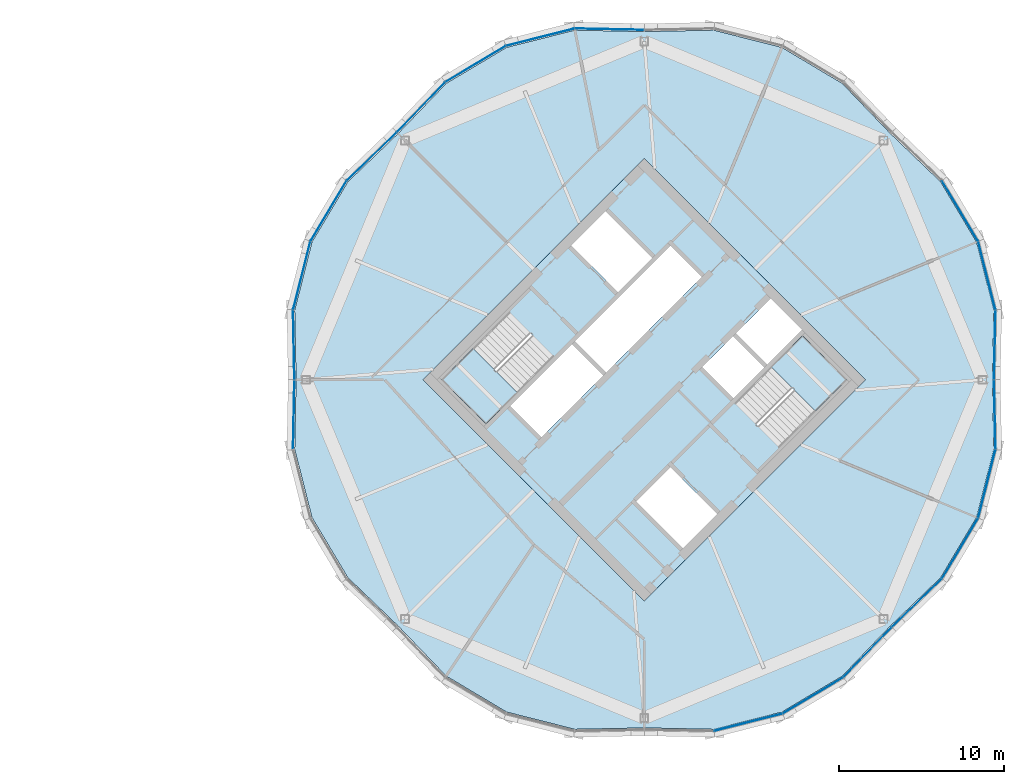
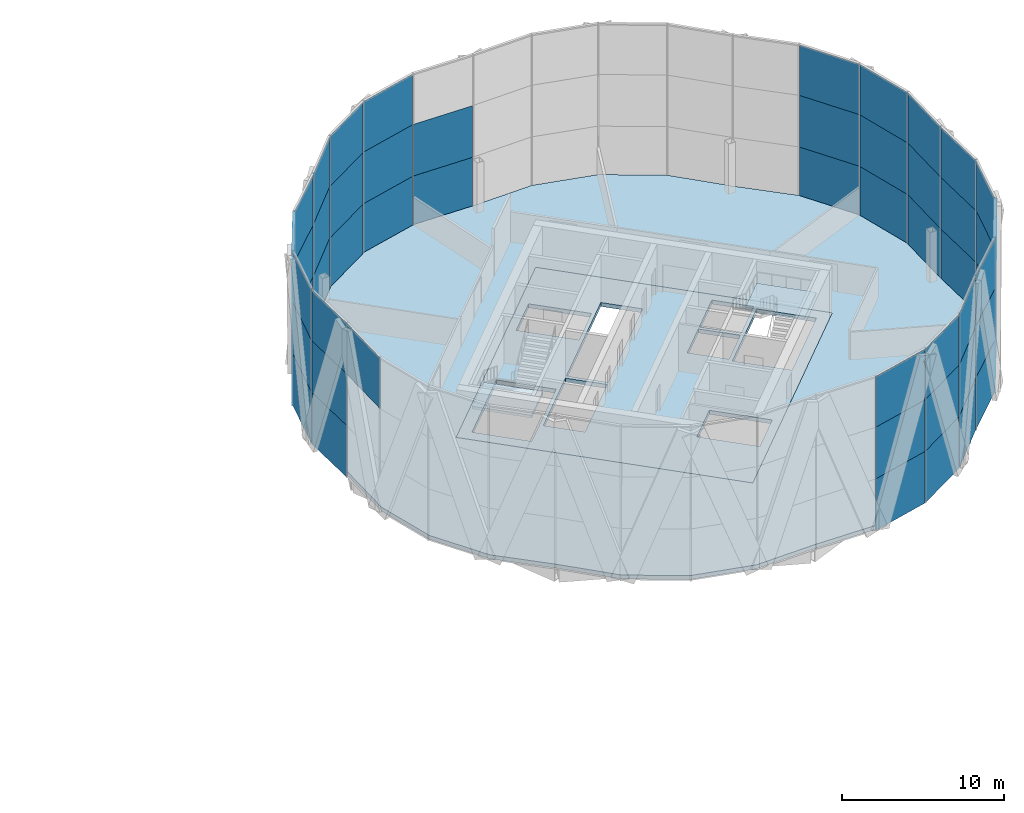
# One storey, part 17 of 25: 54 plates, 4 slabs, 8 elements without a shape of their own.
"""IFC4 building model written with IfcOpenShell, lengths in metres."""

from ifc_helpers import new_model, si_unit, direction, frame, origin, origin_2d, place, context, subcontext, project, spatial, polyline, rectangle, outline, extrude, material, layer, layer_set, type_object, element, aggregate, save


model = new_model("IFC4")

# Units and contexts
model_context = context("Model", 3, precision=1e-05, world=origin(), true_north=direction((0.0, 1.0)))
body_context = subcontext(model_context, "Body", "Model", "MODEL_VIEW")
ifc_project = project(units=[si_unit("LENGTHUNIT", "METRE"), si_unit("AREAUNIT", "SQUARE_METRE"), si_unit("VOLUMEUNIT", "CUBIC_METRE"), si_unit("PLANEANGLEUNIT", "RADIAN"), si_unit("MASSUNIT", "GRAM", prefix="KILO")], contexts=[model_context])

# Site, building, storey
site_placement = place(None, origin())
site = spatial("IfcSite", under=ifc_project, at=site_placement, CompositionType="ELEMENT")
building_placement = place(site_placement, origin())
building = spatial("IfcBuilding", under=site, at=building_placement, Name="Ogive Gate Towers", CompositionType="ELEMENT")
storey_placement = place(building_placement, frame((0.0, 0.0, 196.800048828125)))
storey = spatial("IfcBuildingStorey", under=building, at=storey_placement, Name="L47", CompositionType="ELEMENT", Elevation=196.800048828125)

# Slabs
ifc_material_1 = material(Name="Concrete C40/50", Category="concrete")
ifc_layer_1 = layer(ifc_material_1, 0.300048828125)
ifc_layer_set_1 = layer_set([ifc_layer_1], Name="Core slab C40/50 300 mm")
slab_type_1 = type_object("IfcSlabType", Name="Core slab C40/50 300 mm", PredefinedType="FLOOR", material=ifc_layer_set_1)
slab_1_placement = place(storey_placement, frame((0.0, 0.0, -0.300048828125)))
element("IfcSlab", 1, at=slab_1_placement, inside=storey, type_object=slab_type_1, Name="T2 L47 core slab", PredefinedType="FLOOR", context=body_context, shape_type="SweptSolid", body=[
    extrude(outline(polyline([(36.0, -13.43505859375), (22.56494140625, 0.0), (36.0, 13.43505859375), (49.43505859375, 0.0), (36.0, -13.43505859375)]), holes=[polyline([(29.759765625, -3.482421875), (33.50732421875, 0.26513671875), (31.615966796875, 2.15673828125), (27.868408203125, -1.591064453125), (29.759765625, -3.482421875)]), polyline([(31.792724609375, 2.33349609375), (33.68408203125, 0.44189453125), (39.482421875, 6.240234375), (37.591064453125, 8.131591796875), (31.792724609375, 2.33349609375)]), polyline([(41.3916015625, 2.634033203125), (39.517822265625, 0.760009765625), (41.409423828125, -1.13134765625), (43.283203125, 0.742431640625), (41.3916015625, 2.634033203125)]), polyline([(45.563720703125, 3.02294921875), (43.672119140625, 4.914306640625), (41.568603515625, 2.810791015625), (43.4599609375, 0.919189453125), (45.563720703125, 3.02294921875)]), polyline([(34.408935546875, 5.30322265625), (36.4951171875, 7.389404296875), (33.64892578125, 10.2353515625), (31.56298828125, 8.1494140625), (34.408935546875, 5.30322265625)]), polyline([(35.5048828125, -7.389404296875), (38.35107421875, -10.2353515625), (40.43701171875, -8.1494140625), (37.591064453125, -5.30322265625), (35.5048828125, -7.389404296875)]), polyline([(26.40087890625, -2.70458984375), (30.512939453125, 1.406982421875), (27.80810546875, 4.11181640625), (23.6962890625, 0.0), (26.40087890625, -2.70458984375)]), polyline([(48.3037109375, 0.0), (45.59912109375, 2.70458984375), (41.487060546875, -1.406982421875), (44.19189453125, -4.11181640625), (48.3037109375, 0.0)])]), origin(), (0.0, 0.0, 1.0), 0.300048828125),
])
ifc_material_2 = material(Name="Concrete C35/45", Category="concrete")
ifc_layer_2 = layer(ifc_material_2, 0.300048828125)
ifc_layer_set_2 = layer_set([ifc_layer_2], Name="Floor slab 300")
slab_type_2 = type_object("IfcSlabType", Name="Floor slab 300", PredefinedType="FLOOR", material=ifc_layer_set_2)
slab_2_placement = place(storey_placement, frame((0.0, 0.0, -0.300048828125)))
element("IfcSlab", 2, at=slab_2_placement, inside=storey, type_object=slab_type_2, Name="T2/L47/SSL001", PredefinedType="FLOOR", context=body_context, shape_type="SweptSolid", body=[
    extrude(outline(polyline([(57.20458984375, -4.2177734375), (57.1201171875, 0.0), (57.20458984375, 4.2177734375), (56.158935546875, 8.35009765625), (53.976318359375, 12.011474609375), (50.93408203125, 14.93408203125), (48.011474609375, 17.976318359375), (44.35009765625, 20.158935546875), (40.2177734375, 21.20458984375), (36.0, 21.1201171875), (31.7822265625, 21.20458984375), (27.64990234375, 20.158935546875), (23.988525390625, 17.976318359375), (21.06591796875, 14.93408203125), (18.023681640625, 12.011474609375), (15.841064453125, 8.35009765625), (14.79541015625, 4.2177734375), (14.8798828125, 0.0), (14.79541015625, -4.2177734375), (15.841064453125, -8.35009765625), (18.023681640625, -12.011474609375), (21.06591796875, -14.93408203125), (23.988525390625, -17.976318359375), (27.64990234375, -20.158935546875), (31.7822265625, -21.20458984375), (36.0, -21.1201171875), (40.2177734375, -21.20458984375), (44.35009765625, -20.158935546875), (48.011474609375, -17.976318359375), (50.93408203125, -14.93408203125), (53.976318359375, -12.011474609375), (56.158935546875, -8.35009765625), (57.20458984375, -4.2177734375)]), holes=[polyline([(49.43505859375, 0.0), (36.0, -13.43505859375), (22.56494140625, 0.0), (36.0, 13.43505859375), (49.43505859375, 0.0)])]), origin(), (0.0, 0.0, 1.0), 0.300048828125),
])

# Stair, slab
stair_type = type_object("IfcStairType", Name="Escape stair 1840 wide", PredefinedType="HALF_TURN_STAIR", material=ifc_material_1)
stair_1_placement = place(storey_placement, origin())
stair_1 = element("IfcStair", 3, at=stair_1_placement, inside=storey, type_object=stair_type, Name="L47 Escape stair 1", PredefinedType="HALF_TURN_STAIR")
ifc_layer_3 = layer(ifc_material_1, 0.199951171875)
ifc_layer_set_3 = layer_set([ifc_layer_3], Name="Stair landing 200 mm")
slab_type_3 = type_object("IfcSlabType", Name="Stair landing 200 mm", PredefinedType="LANDING", material=ifc_layer_set_3)
slab_3_placement = place(storey_placement, frame((0.0, 0.0, 1.75)))
slab_3 = element("IfcSlab", 4, at=slab_3_placement, type_object=slab_type_3, Name="ST1 landing 1", PredefinedType="LANDING", context=body_context, shape_type="SweptSolid", body=[
    extrude(outline(polyline([(25.6044921875, 1.908203125), (23.6962890625, 0.0), (26.401123046875, -2.70458984375), (28.309326171875, -0.79638671875), (25.6044921875, 1.908203125)])), origin(), (0.0, 0.0, 1.0), 0.199951171875),
])
aggregate(stair_1, [slab_3])

stair_2_placement = place(storey_placement, origin())
stair_2 = element("IfcStair", 5, at=stair_2_placement, inside=storey, type_object=stair_type, Name="L47 Escape stair 2", PredefinedType="HALF_TURN_STAIR")
slab_4_placement = place(storey_placement, frame((0.0, 0.0, 1.75)))
slab_4 = element("IfcSlab", 6, at=slab_4_placement, type_object=slab_type_3, Name="ST2 landing 1", PredefinedType="LANDING", context=body_context, shape_type="SweptSolid", body=[
    extrude(outline(polyline([(46.3955078125, -1.908203125), (48.3037109375, 0.0), (45.598876953125, 2.70458984375), (43.690673828125, 0.79638671875), (46.3955078125, -1.908203125)])), origin(), (0.0, 0.0, 1.0), 0.199951171875),
])
aggregate(stair_2, [slab_4])

# Curtain wall, plates
ifc_material_3 = material(Name="Pale metal aluminium", Category="aluminium")
curtain_wall_type = type_object("IfcCurtainWallType", Name="Tower unitised wall, high zone", PredefinedType="NOTDEFINED", material=ifc_material_3)
curtain_wall_1_placement = place(storey_placement, origin())
curtain_wall_1 = element("IfcCurtainWall", 7, at=curtain_wall_1_placement, inside=storey, type_object=curtain_wall_type, Name="CW2 T2 ECW01", PredefinedType="NOTDEFINED")
ifc_material_4 = material(Name="Clear glass", Category="glass")
ifc_layer_4 = layer(ifc_material_4, 0.028076171875)
ifc_layer_set_4 = layer_set([ifc_layer_4], Name="Tower unitised wall, high zone glass panel")
plate_type = type_object("IfcPlateType", Name="Tower unitised wall, high zone glass panel", PredefinedType="CURTAIN_PANEL", material=ifc_layer_set_4)
plate_1_placement = place(storey_placement, frame((57.262451171875, 2.11279296875, -0.300048828125), z_axis=(0.0, 0.0, 1.0), x_axis=(0.020052489003, 0.999798928628, 0.0)))
plate_1 = element("IfcPlate", 8, at=plate_1_placement, type_object=plate_type, Name="CW2 glass panel", PredefinedType="CURTAIN_PANEL", context=body_context, shape_type="SweptSolid", body=[
    extrude(rectangle(XDim=4.17236328125, YDim=0.028076171875, at=origin_2d()), origin(), (0.0, 0.0, 1.0), 3.89990234375),
])
plate_2_placement = place(storey_placement, frame((57.262451171875, 2.11279296875, 3.60009765625), z_axis=(0.0, 0.0, 1.0), x_axis=(0.020052489003, 0.999798928628, 0.0)))
plate_2 = element("IfcPlate", 9, at=plate_2_placement, type_object=plate_type, Name="CW2 glass panel", PredefinedType="CURTAIN_PANEL", context=body_context, shape_type="SweptSolid", body=[
    extrude(rectangle(XDim=4.17236328125, YDim=0.028076171875, at=origin_2d()), origin(), (0.0, 0.0, 1.0), 3.89990234375),
])
plate_3_placement = place(storey_placement, frame((57.262451171875, 2.11279296875, 7.5), z_axis=(0.0, 0.0, 1.0), x_axis=(0.020052489003, 0.999798928628, 0.0)))
plate_3 = element("IfcPlate", 10, at=plate_3_placement, type_object=plate_type, Name="CW2 glass panel", PredefinedType="CURTAIN_PANEL", context=body_context, shape_type="SweptSolid", body=[
    extrude(rectangle(XDim=4.17236328125, YDim=0.028076171875, at=origin_2d()), origin(), (0.0, 0.0, 1.0), 3.803955078125),
])
plate_4_placement = place(storey_placement, frame((56.778564453125, 6.30908203125, -0.300048828125), z_axis=(0.0, 0.0, 1.0), x_axis=(-0.245290465828, 0.969449631169, 0.0)))
plate_4 = element("IfcPlate", 11, at=plate_4_placement, type_object=plate_type, Name="CW2 glass panel", PredefinedType="CURTAIN_PANEL", context=body_context, shape_type="SweptSolid", body=[
    extrude(rectangle(XDim=4.228515625, YDim=0.028076171875, at=origin_2d()), origin(), (0.0, 0.0, 1.0), 3.89990234375),
])
plate_5_placement = place(storey_placement, frame((56.778564453125, 6.30908203125, 3.60009765625), z_axis=(0.0, 0.0, 1.0), x_axis=(-0.245290465828, 0.969449631169, 0.0)))
plate_5 = element("IfcPlate", 12, at=plate_5_placement, type_object=plate_type, Name="CW2 glass panel", PredefinedType="CURTAIN_PANEL", context=body_context, shape_type="SweptSolid", body=[
    extrude(rectangle(XDim=4.228515625, YDim=0.028076171875, at=origin_2d()), origin(), (0.0, 0.0, 1.0), 3.89990234375),
])
plate_6_placement = place(storey_placement, frame((56.778564453125, 6.30908203125, 7.5), z_axis=(0.0, 0.0, 1.0), x_axis=(-0.245290465828, 0.969449631169, 0.0)))
plate_6 = element("IfcPlate", 13, at=plate_6_placement, type_object=plate_type, Name="CW2 glass panel", PredefinedType="CURTAIN_PANEL", context=body_context, shape_type="SweptSolid", body=[
    extrude(rectangle(XDim=4.228515625, YDim=0.028076171875, at=origin_2d()), origin(), (0.0, 0.0, 1.0), 3.803955078125),
])
plate_7_placement = place(storey_placement, frame((55.15380859375, 10.231689453125, -0.300048828125), z_axis=(0.0, 0.0, 1.0), x_axis=(-0.512057856471, 0.858950959966, 0.0)))
plate_7 = element("IfcPlate", 14, at=plate_7_placement, type_object=plate_type, Name="CW2 glass panel", PredefinedType="CURTAIN_PANEL", context=body_context, shape_type="SweptSolid", body=[
    extrude(rectangle(XDim=4.228515625, YDim=0.028076171875, at=origin_2d()), origin(), (0.0, 0.0, 1.0), 3.89990234375),
])
plate_8_placement = place(storey_placement, frame((55.15380859375, 10.231689453125, 3.60009765625), z_axis=(0.0, 0.0, 1.0), x_axis=(-0.512057856471, 0.858950959966, 0.0)))
plate_8 = element("IfcPlate", 15, at=plate_8_placement, type_object=plate_type, Name="CW2 glass panel", PredefinedType="CURTAIN_PANEL", context=body_context, shape_type="SweptSolid", body=[
    extrude(rectangle(XDim=4.228515625, YDim=0.028076171875, at=origin_2d()), origin(), (0.0, 0.0, 1.0), 3.89990234375),
])
plate_9_placement = place(storey_placement, frame((55.15380859375, 10.231689453125, 7.5), z_axis=(0.0, 0.0, 1.0), x_axis=(-0.512057856471, 0.858950959966, 0.0)))
plate_9 = element("IfcPlate", 16, at=plate_9_placement, type_object=plate_type, Name="CW2 glass panel", PredefinedType="CURTAIN_PANEL", context=body_context, shape_type="SweptSolid", body=[
    extrude(rectangle(XDim=4.228515625, YDim=0.028076171875, at=origin_2d()), origin(), (0.0, 0.0, 1.0), 3.803955078125),
])
aggregate(curtain_wall_1, [plate_1, plate_2, plate_3, plate_4, plate_5, plate_6, plate_7, plate_8, plate_9])

curtain_wall_2_placement = place(storey_placement, origin())
curtain_wall_2 = element("IfcCurtainWall", 17, at=curtain_wall_2_placement, inside=storey, type_object=curtain_wall_type, Name="CW2 T2 ECW03", PredefinedType="NOTDEFINED")
plate_10_placement = place(storey_placement, frame((33.88720703125, 21.262451171875, -0.300048828125), z_axis=(0.0, 0.0, 1.0), x_axis=(-0.999798928628, 0.020052489003, 0.0)))
plate_10 = element("IfcPlate", 18, at=plate_10_placement, type_object=plate_type, Name="CW2 glass panel", PredefinedType="CURTAIN_PANEL", context=body_context, shape_type="SweptSolid", body=[
    extrude(rectangle(XDim=4.17236328125, YDim=0.028076171875, at=origin_2d()), origin(), (0.0, 0.0, 1.0), 3.89990234375),
])
plate_11_placement = place(storey_placement, frame((33.88720703125, 21.262451171875, 3.60009765625), z_axis=(0.0, 0.0, 1.0), x_axis=(-0.999798928628, 0.020052489003, 0.0)))
plate_11 = element("IfcPlate", 19, at=plate_11_placement, type_object=plate_type, Name="CW2 glass panel", PredefinedType="CURTAIN_PANEL", context=body_context, shape_type="SweptSolid", body=[
    extrude(rectangle(XDim=4.17236328125, YDim=0.028076171875, at=origin_2d()), origin(), (0.0, 0.0, 1.0), 3.89990234375),
])
plate_12_placement = place(storey_placement, frame((29.69091796875, 20.778564453125, -0.300048828125), z_axis=(0.0, 0.0, 1.0), x_axis=(-0.969449631169, -0.245290465828, 0.0)))
plate_12 = element("IfcPlate", 20, at=plate_12_placement, type_object=plate_type, Name="CW2 glass panel", PredefinedType="CURTAIN_PANEL", context=body_context, shape_type="SweptSolid", body=[
    extrude(rectangle(XDim=4.228515625, YDim=0.028076171875, at=origin_2d()), origin(), (0.0, 0.0, 1.0), 3.89990234375),
])
plate_13_placement = place(storey_placement, frame((29.69091796875, 20.778564453125, 3.60009765625), z_axis=(0.0, 0.0, 1.0), x_axis=(-0.969449631169, -0.245290465828, 0.0)))
plate_13 = element("IfcPlate", 21, at=plate_13_placement, type_object=plate_type, Name="CW2 glass panel", PredefinedType="CURTAIN_PANEL", context=body_context, shape_type="SweptSolid", body=[
    extrude(rectangle(XDim=4.228515625, YDim=0.028076171875, at=origin_2d()), origin(), (0.0, 0.0, 1.0), 3.89990234375),
])
plate_14_placement = place(storey_placement, frame((29.69091796875, 20.778564453125, 7.5), z_axis=(0.0, 0.0, 1.0), x_axis=(-0.969449631169, -0.245290465828, 0.0)))
plate_14 = element("IfcPlate", 22, at=plate_14_placement, type_object=plate_type, Name="CW2 glass panel", PredefinedType="CURTAIN_PANEL", context=body_context, shape_type="SweptSolid", body=[
    extrude(rectangle(XDim=4.228515625, YDim=0.028076171875, at=origin_2d()), origin(), (0.0, 0.0, 1.0), 3.803955078125),
])
plate_15_placement = place(storey_placement, frame((25.768310546875, 19.15380859375, -0.300048828125), z_axis=(0.0, 0.0, 1.0), x_axis=(-0.858950959966, -0.512057856471, 0.0)))
plate_15 = element("IfcPlate", 23, at=plate_15_placement, type_object=plate_type, Name="CW2 glass panel", PredefinedType="CURTAIN_PANEL", context=body_context, shape_type="SweptSolid", body=[
    extrude(rectangle(XDim=4.228515625, YDim=0.028076171875, at=origin_2d()), origin(), (0.0, 0.0, 1.0), 3.89990234375),
])
plate_16_placement = place(storey_placement, frame((25.768310546875, 19.15380859375, 3.60009765625), z_axis=(0.0, 0.0, 1.0), x_axis=(-0.858950959966, -0.512057856471, 0.0)))
plate_16 = element("IfcPlate", 24, at=plate_16_placement, type_object=plate_type, Name="CW2 glass panel", PredefinedType="CURTAIN_PANEL", context=body_context, shape_type="SweptSolid", body=[
    extrude(rectangle(XDim=4.228515625, YDim=0.028076171875, at=origin_2d()), origin(), (0.0, 0.0, 1.0), 3.89990234375),
])
plate_17_placement = place(storey_placement, frame((25.768310546875, 19.15380859375, 7.5), z_axis=(0.0, 0.0, 1.0), x_axis=(-0.858950959966, -0.512057856471, 0.0)))
plate_17 = element("IfcPlate", 25, at=plate_17_placement, type_object=plate_type, Name="CW2 glass panel", PredefinedType="CURTAIN_PANEL", context=body_context, shape_type="SweptSolid", body=[
    extrude(rectangle(XDim=4.228515625, YDim=0.028076171875, at=origin_2d()), origin(), (0.0, 0.0, 1.0), 3.803955078125),
])
plate_18_placement = place(storey_placement, frame((22.459228515625, 16.52880859375, -0.300048828125), z_axis=(0.0, 0.0, 1.0), x_axis=(-0.692785351302, -0.72114385321, 0.0)))
plate_18 = element("IfcPlate", 26, at=plate_18_placement, type_object=plate_type, Name="CW2 glass panel", PredefinedType="CURTAIN_PANEL", context=body_context, shape_type="SweptSolid", body=[
    extrude(rectangle(XDim=4.17236328125, YDim=0.028076171875, at=origin_2d()), origin(), (0.0, 0.0, 1.0), 3.89990234375),
])
plate_19_placement = place(storey_placement, frame((22.459228515625, 16.52880859375, 3.60009765625), z_axis=(0.0, 0.0, 1.0), x_axis=(-0.692785351302, -0.72114385321, 0.0)))
plate_19 = element("IfcPlate", 27, at=plate_19_placement, type_object=plate_type, Name="CW2 glass panel", PredefinedType="CURTAIN_PANEL", context=body_context, shape_type="SweptSolid", body=[
    extrude(rectangle(XDim=4.17236328125, YDim=0.028076171875, at=origin_2d()), origin(), (0.0, 0.0, 1.0), 3.89990234375),
])
plate_20_placement = place(storey_placement, frame((22.459228515625, 16.52880859375, 7.5), z_axis=(0.0, 0.0, 1.0), x_axis=(-0.692785351302, -0.72114385321, 0.0)))
plate_20 = element("IfcPlate", 28, at=plate_20_placement, type_object=plate_type, Name="CW2 glass panel", PredefinedType="CURTAIN_PANEL", context=body_context, shape_type="SweptSolid", body=[
    extrude(rectangle(XDim=4.17236328125, YDim=0.028076171875, at=origin_2d()), origin(), (0.0, 0.0, 1.0), 3.803955078125),
])
aggregate(curtain_wall_2, [plate_10, plate_11, plate_12, plate_13, plate_14, plate_15, plate_16, plate_17, plate_18, plate_19, plate_20])

curtain_wall_3_placement = place(storey_placement, origin())
curtain_wall_3 = element("IfcCurtainWall", 29, at=curtain_wall_3_placement, inside=storey, type_object=curtain_wall_type, Name="CW2 T2 ECW04", PredefinedType="NOTDEFINED")
plate_21_placement = place(storey_placement, frame((19.47119140625, 13.540771484375, -0.300048828125), z_axis=(0.0, 0.0, 1.0), x_axis=(-0.72114385321, -0.692785351302, 0.0)))
plate_21 = element("IfcPlate", 30, at=plate_21_placement, type_object=plate_type, Name="CW2 glass panel", PredefinedType="CURTAIN_PANEL", context=body_context, shape_type="SweptSolid", body=[
    extrude(rectangle(XDim=4.17236328125, YDim=0.028076171875, at=origin_2d()), origin(), (0.0, 0.0, 1.0), 3.89990234375),
])
plate_22_placement = place(storey_placement, frame((19.47119140625, 13.540771484375, 3.60009765625), z_axis=(0.0, 0.0, 1.0), x_axis=(-0.72114385321, -0.692785351302, 0.0)))
plate_22 = element("IfcPlate", 31, at=plate_22_placement, type_object=plate_type, Name="CW2 glass panel", PredefinedType="CURTAIN_PANEL", context=body_context, shape_type="SweptSolid", body=[
    extrude(rectangle(XDim=4.17236328125, YDim=0.028076171875, at=origin_2d()), origin(), (0.0, 0.0, 1.0), 3.89990234375),
])
plate_23_placement = place(storey_placement, frame((19.47119140625, 13.540771484375, 7.5), z_axis=(0.0, 0.0, 1.0), x_axis=(-0.72114385321, -0.692785351302, 0.0)))
plate_23 = element("IfcPlate", 32, at=plate_23_placement, type_object=plate_type, Name="CW2 glass panel", PredefinedType="CURTAIN_PANEL", context=body_context, shape_type="SweptSolid", body=[
    extrude(rectangle(XDim=4.17236328125, YDim=0.028076171875, at=origin_2d()), origin(), (0.0, 0.0, 1.0), 3.803955078125),
])
plate_24_placement = place(storey_placement, frame((16.84619140625, 10.231689453125, -0.300048828125), z_axis=(0.0, 0.0, 1.0), x_axis=(-0.512057856471, -0.858950959966, 0.0)))
plate_24 = element("IfcPlate", 33, at=plate_24_placement, type_object=plate_type, Name="CW2 glass panel", PredefinedType="CURTAIN_PANEL", context=body_context, shape_type="SweptSolid", body=[
    extrude(rectangle(XDim=4.228515625, YDim=0.028076171875, at=origin_2d()), origin(), (0.0, 0.0, 1.0), 3.89990234375),
])
plate_25_placement = place(storey_placement, frame((16.84619140625, 10.231689453125, 3.60009765625), z_axis=(0.0, 0.0, 1.0), x_axis=(-0.512057856471, -0.858950959966, 0.0)))
plate_25 = element("IfcPlate", 34, at=plate_25_placement, type_object=plate_type, Name="CW2 glass panel", PredefinedType="CURTAIN_PANEL", context=body_context, shape_type="SweptSolid", body=[
    extrude(rectangle(XDim=4.228515625, YDim=0.028076171875, at=origin_2d()), origin(), (0.0, 0.0, 1.0), 3.89990234375),
])
plate_26_placement = place(storey_placement, frame((16.84619140625, 10.231689453125, 7.5), z_axis=(0.0, 0.0, 1.0), x_axis=(-0.512057856471, -0.858950959966, 0.0)))
plate_26 = element("IfcPlate", 35, at=plate_26_placement, type_object=plate_type, Name="CW2 glass panel", PredefinedType="CURTAIN_PANEL", context=body_context, shape_type="SweptSolid", body=[
    extrude(rectangle(XDim=4.228515625, YDim=0.028076171875, at=origin_2d()), origin(), (0.0, 0.0, 1.0), 3.803955078125),
])
plate_27_placement = place(storey_placement, frame((15.221435546875, 6.30908203125, -0.300048828125), z_axis=(0.0, 0.0, 1.0), x_axis=(-0.245290465828, -0.969449631169, 0.0)))
plate_27 = element("IfcPlate", 36, at=plate_27_placement, type_object=plate_type, Name="CW2 glass panel", PredefinedType="CURTAIN_PANEL", context=body_context, shape_type="SweptSolid", body=[
    extrude(rectangle(XDim=4.228515625, YDim=0.028076171875, at=origin_2d()), origin(), (0.0, 0.0, 1.0), 3.89990234375),
])
plate_28_placement = place(storey_placement, frame((15.221435546875, 6.30908203125, 3.60009765625), z_axis=(0.0, 0.0, 1.0), x_axis=(-0.245290465828, -0.969449631169, 0.0)))
plate_28 = element("IfcPlate", 37, at=plate_28_placement, type_object=plate_type, Name="CW2 glass panel", PredefinedType="CURTAIN_PANEL", context=body_context, shape_type="SweptSolid", body=[
    extrude(rectangle(XDim=4.228515625, YDim=0.028076171875, at=origin_2d()), origin(), (0.0, 0.0, 1.0), 3.89990234375),
])
plate_29_placement = place(storey_placement, frame((15.221435546875, 6.30908203125, 7.5), z_axis=(0.0, 0.0, 1.0), x_axis=(-0.245290465828, -0.969449631169, 0.0)))
plate_29 = element("IfcPlate", 38, at=plate_29_placement, type_object=plate_type, Name="CW2 glass panel", PredefinedType="CURTAIN_PANEL", context=body_context, shape_type="SweptSolid", body=[
    extrude(rectangle(XDim=4.228515625, YDim=0.028076171875, at=origin_2d()), origin(), (0.0, 0.0, 1.0), 3.803955078125),
])
plate_30_placement = place(storey_placement, frame((14.737548828125, 2.11279296875, -0.300048828125), z_axis=(0.0, 0.0, 1.0), x_axis=(0.020052489003, -0.999798928628, 0.0)))
plate_30 = element("IfcPlate", 39, at=plate_30_placement, type_object=plate_type, Name="CW2 glass panel", PredefinedType="CURTAIN_PANEL", context=body_context, shape_type="SweptSolid", body=[
    extrude(rectangle(XDim=4.17236328125, YDim=0.028076171875, at=origin_2d()), origin(), (0.0, 0.0, 1.0), 3.89990234375),
])
plate_31_placement = place(storey_placement, frame((14.737548828125, 2.11279296875, 3.60009765625), z_axis=(0.0, 0.0, 1.0), x_axis=(0.020052489003, -0.999798928628, 0.0)))
plate_31 = element("IfcPlate", 40, at=plate_31_placement, type_object=plate_type, Name="CW2 glass panel", PredefinedType="CURTAIN_PANEL", context=body_context, shape_type="SweptSolid", body=[
    extrude(rectangle(XDim=4.17236328125, YDim=0.028076171875, at=origin_2d()), origin(), (0.0, 0.0, 1.0), 3.89990234375),
])
plate_32_placement = place(storey_placement, frame((14.737548828125, 2.11279296875, 7.5), z_axis=(0.0, 0.0, 1.0), x_axis=(0.020052489003, -0.999798928628, 0.0)))
plate_32 = element("IfcPlate", 41, at=plate_32_placement, type_object=plate_type, Name="CW2 glass panel", PredefinedType="CURTAIN_PANEL", context=body_context, shape_type="SweptSolid", body=[
    extrude(rectangle(XDim=4.17236328125, YDim=0.028076171875, at=origin_2d()), origin(), (0.0, 0.0, 1.0), 3.803955078125),
])
aggregate(curtain_wall_3, [plate_21, plate_22, plate_23, plate_24, plate_25, plate_26, plate_27, plate_28, plate_29, plate_30, plate_31, plate_32])

# Curtain wall, plate
curtain_wall_4_placement = place(storey_placement, origin())
curtain_wall_4 = element("IfcCurtainWall", 42, at=curtain_wall_4_placement, inside=storey, type_object=curtain_wall_type, Name="CW2 T2 ECW05", PredefinedType="NOTDEFINED")
plate_33_placement = place(storey_placement, frame((14.737548828125, -2.11279296875, 7.5), z_axis=(0.0, 0.0, 1.0), x_axis=(-0.020052489003, -0.999798928628, 0.0)))
plate_33 = element("IfcPlate", 43, at=plate_33_placement, type_object=plate_type, Name="CW2 glass panel", PredefinedType="CURTAIN_PANEL", context=body_context, shape_type="SweptSolid", body=[
    extrude(rectangle(XDim=4.17236328125, YDim=0.028076171875, at=origin_2d()), origin(), (0.0, 0.0, 1.0), 3.803955078125),
])
aggregate(curtain_wall_4, [plate_33])

# Curtain wall, plates
curtain_wall_5_placement = place(storey_placement, origin())
curtain_wall_5 = element("IfcCurtainWall", 44, at=curtain_wall_5_placement, inside=storey, type_object=curtain_wall_type, Name="CW2 T2 ECW07", PredefinedType="NOTDEFINED")
plate_34_placement = place(storey_placement, frame((42.30908203125, -20.778564453125, -0.300048828125), z_axis=(0.0, 0.0, 1.0), x_axis=(0.969449631169, 0.245290465828, 0.0)))
plate_34 = element("IfcPlate", 45, at=plate_34_placement, type_object=plate_type, Name="CW2 glass panel", PredefinedType="CURTAIN_PANEL", context=body_context, shape_type="SweptSolid", body=[
    extrude(rectangle(XDim=4.228515625, YDim=0.028076171875, at=origin_2d()), origin(), (0.0, 0.0, 1.0), 3.89990234375),
])
plate_35_placement = place(storey_placement, frame((42.30908203125, -20.778564453125, 3.60009765625), z_axis=(0.0, 0.0, 1.0), x_axis=(0.969449631169, 0.245290465828, 0.0)))
plate_35 = element("IfcPlate", 46, at=plate_35_placement, type_object=plate_type, Name="CW2 glass panel", PredefinedType="CURTAIN_PANEL", context=body_context, shape_type="SweptSolid", body=[
    extrude(rectangle(XDim=4.228515625, YDim=0.028076171875, at=origin_2d()), origin(), (0.0, 0.0, 1.0), 3.89990234375),
])
plate_36_placement = place(storey_placement, frame((42.30908203125, -20.778564453125, 7.5), z_axis=(0.0, 0.0, 1.0), x_axis=(0.969449631169, 0.245290465828, 0.0)))
plate_36 = element("IfcPlate", 47, at=plate_36_placement, type_object=plate_type, Name="CW2 glass panel", PredefinedType="CURTAIN_PANEL", context=body_context, shape_type="SweptSolid", body=[
    extrude(rectangle(XDim=4.228515625, YDim=0.028076171875, at=origin_2d()), origin(), (0.0, 0.0, 1.0), 3.803955078125),
])
plate_37_placement = place(storey_placement, frame((46.231689453125, -19.15380859375, -0.300048828125), z_axis=(0.0, 0.0, 1.0), x_axis=(0.858950959966, 0.512057856471, 0.0)))
plate_37 = element("IfcPlate", 48, at=plate_37_placement, type_object=plate_type, Name="CW2 glass panel", PredefinedType="CURTAIN_PANEL", context=body_context, shape_type="SweptSolid", body=[
    extrude(rectangle(XDim=4.228515625, YDim=0.028076171875, at=origin_2d()), origin(), (0.0, 0.0, 1.0), 3.89990234375),
])
plate_38_placement = place(storey_placement, frame((46.231689453125, -19.15380859375, 3.60009765625), z_axis=(0.0, 0.0, 1.0), x_axis=(0.858950959966, 0.512057856471, 0.0)))
plate_38 = element("IfcPlate", 49, at=plate_38_placement, type_object=plate_type, Name="CW2 glass panel", PredefinedType="CURTAIN_PANEL", context=body_context, shape_type="SweptSolid", body=[
    extrude(rectangle(XDim=4.228515625, YDim=0.028076171875, at=origin_2d()), origin(), (0.0, 0.0, 1.0), 3.89990234375),
])
plate_39_placement = place(storey_placement, frame((46.231689453125, -19.15380859375, 7.5), z_axis=(0.0, 0.0, 1.0), x_axis=(0.858950959966, 0.512057856471, 0.0)))
plate_39 = element("IfcPlate", 50, at=plate_39_placement, type_object=plate_type, Name="CW2 glass panel", PredefinedType="CURTAIN_PANEL", context=body_context, shape_type="SweptSolid", body=[
    extrude(rectangle(XDim=4.228515625, YDim=0.028076171875, at=origin_2d()), origin(), (0.0, 0.0, 1.0), 3.803955078125),
])
plate_40_placement = place(storey_placement, frame((49.540771484375, -16.52880859375, -0.300048828125), z_axis=(0.0, 0.0, 1.0), x_axis=(0.692785351302, 0.72114385321, 0.0)))
plate_40 = element("IfcPlate", 51, at=plate_40_placement, type_object=plate_type, Name="CW2 glass panel", PredefinedType="CURTAIN_PANEL", context=body_context, shape_type="SweptSolid", body=[
    extrude(rectangle(XDim=4.17236328125, YDim=0.028076171875, at=origin_2d()), origin(), (0.0, 0.0, 1.0), 3.89990234375),
])
plate_41_placement = place(storey_placement, frame((49.540771484375, -16.52880859375, 3.60009765625), z_axis=(0.0, 0.0, 1.0), x_axis=(0.692785351302, 0.72114385321, 0.0)))
plate_41 = element("IfcPlate", 52, at=plate_41_placement, type_object=plate_type, Name="CW2 glass panel", PredefinedType="CURTAIN_PANEL", context=body_context, shape_type="SweptSolid", body=[
    extrude(rectangle(XDim=4.17236328125, YDim=0.028076171875, at=origin_2d()), origin(), (0.0, 0.0, 1.0), 3.89990234375),
])
plate_42_placement = place(storey_placement, frame((49.540771484375, -16.52880859375, 7.5), z_axis=(0.0, 0.0, 1.0), x_axis=(0.692785351302, 0.72114385321, 0.0)))
plate_42 = element("IfcPlate", 53, at=plate_42_placement, type_object=plate_type, Name="CW2 glass panel", PredefinedType="CURTAIN_PANEL", context=body_context, shape_type="SweptSolid", body=[
    extrude(rectangle(XDim=4.17236328125, YDim=0.028076171875, at=origin_2d()), origin(), (0.0, 0.0, 1.0), 3.803955078125),
])
aggregate(curtain_wall_5, [plate_34, plate_35, plate_36, plate_37, plate_38, plate_39, plate_40, plate_41, plate_42])

curtain_wall_6_placement = place(storey_placement, origin())
curtain_wall_6 = element("IfcCurtainWall", 54, at=curtain_wall_6_placement, inside=storey, type_object=curtain_wall_type, Name="CW2 T2 ECW08", PredefinedType="NOTDEFINED")
plate_43_placement = place(storey_placement, frame((52.52880859375, -13.540771484375, -0.300048828125), z_axis=(0.0, 0.0, 1.0), x_axis=(0.72114385321, 0.692785351302, 0.0)))
plate_43 = element("IfcPlate", 55, at=plate_43_placement, type_object=plate_type, Name="CW2 glass panel", PredefinedType="CURTAIN_PANEL", context=body_context, shape_type="SweptSolid", body=[
    extrude(rectangle(XDim=4.17236328125, YDim=0.028076171875, at=origin_2d()), origin(), (0.0, 0.0, 1.0), 3.89990234375),
])
plate_44_placement = place(storey_placement, frame((52.52880859375, -13.540771484375, 3.60009765625), z_axis=(0.0, 0.0, 1.0), x_axis=(0.72114385321, 0.692785351302, 0.0)))
plate_44 = element("IfcPlate", 56, at=plate_44_placement, type_object=plate_type, Name="CW2 glass panel", PredefinedType="CURTAIN_PANEL", context=body_context, shape_type="SweptSolid", body=[
    extrude(rectangle(XDim=4.17236328125, YDim=0.028076171875, at=origin_2d()), origin(), (0.0, 0.0, 1.0), 3.89990234375),
])
plate_45_placement = place(storey_placement, frame((52.52880859375, -13.540771484375, 7.5), z_axis=(0.0, 0.0, 1.0), x_axis=(0.72114385321, 0.692785351302, 0.0)))
plate_45 = element("IfcPlate", 57, at=plate_45_placement, type_object=plate_type, Name="CW2 glass panel", PredefinedType="CURTAIN_PANEL", context=body_context, shape_type="SweptSolid", body=[
    extrude(rectangle(XDim=4.17236328125, YDim=0.028076171875, at=origin_2d()), origin(), (0.0, 0.0, 1.0), 3.803955078125),
])
plate_46_placement = place(storey_placement, frame((55.15380859375, -10.231689453125, -0.300048828125), z_axis=(0.0, 0.0, 1.0), x_axis=(0.512057856471, 0.858950959966, 0.0)))
plate_46 = element("IfcPlate", 58, at=plate_46_placement, type_object=plate_type, Name="CW2 glass panel", PredefinedType="CURTAIN_PANEL", context=body_context, shape_type="SweptSolid", body=[
    extrude(rectangle(XDim=4.228515625, YDim=0.028076171875, at=origin_2d()), origin(), (0.0, 0.0, 1.0), 3.89990234375),
])
plate_47_placement = place(storey_placement, frame((55.15380859375, -10.231689453125, 3.60009765625), z_axis=(0.0, 0.0, 1.0), x_axis=(0.512057856471, 0.858950959966, 0.0)))
plate_47 = element("IfcPlate", 59, at=plate_47_placement, type_object=plate_type, Name="CW2 glass panel", PredefinedType="CURTAIN_PANEL", context=body_context, shape_type="SweptSolid", body=[
    extrude(rectangle(XDim=4.228515625, YDim=0.028076171875, at=origin_2d()), origin(), (0.0, 0.0, 1.0), 3.89990234375),
])
plate_48_placement = place(storey_placement, frame((55.15380859375, -10.231689453125, 7.5), z_axis=(0.0, 0.0, 1.0), x_axis=(0.512057856471, 0.858950959966, 0.0)))
plate_48 = element("IfcPlate", 60, at=plate_48_placement, type_object=plate_type, Name="CW2 glass panel", PredefinedType="CURTAIN_PANEL", context=body_context, shape_type="SweptSolid", body=[
    extrude(rectangle(XDim=4.228515625, YDim=0.028076171875, at=origin_2d()), origin(), (0.0, 0.0, 1.0), 3.803955078125),
])
plate_49_placement = place(storey_placement, frame((56.778564453125, -6.30908203125, -0.300048828125), z_axis=(0.0, 0.0, 1.0), x_axis=(0.245290465828, 0.969449631169, 0.0)))
plate_49 = element("IfcPlate", 61, at=plate_49_placement, type_object=plate_type, Name="CW2 glass panel", PredefinedType="CURTAIN_PANEL", context=body_context, shape_type="SweptSolid", body=[
    extrude(rectangle(XDim=4.228515625, YDim=0.028076171875, at=origin_2d()), origin(), (0.0, 0.0, 1.0), 3.89990234375),
])
plate_50_placement = place(storey_placement, frame((56.778564453125, -6.30908203125, 3.60009765625), z_axis=(0.0, 0.0, 1.0), x_axis=(0.245290465828, 0.969449631169, 0.0)))
plate_50 = element("IfcPlate", 62, at=plate_50_placement, type_object=plate_type, Name="CW2 glass panel", PredefinedType="CURTAIN_PANEL", context=body_context, shape_type="SweptSolid", body=[
    extrude(rectangle(XDim=4.228515625, YDim=0.028076171875, at=origin_2d()), origin(), (0.0, 0.0, 1.0), 3.89990234375),
])
plate_51_placement = place(storey_placement, frame((56.778564453125, -6.30908203125, 7.5), z_axis=(0.0, 0.0, 1.0), x_axis=(0.245290465828, 0.969449631169, 0.0)))
plate_51 = element("IfcPlate", 63, at=plate_51_placement, type_object=plate_type, Name="CW2 glass panel", PredefinedType="CURTAIN_PANEL", context=body_context, shape_type="SweptSolid", body=[
    extrude(rectangle(XDim=4.228515625, YDim=0.028076171875, at=origin_2d()), origin(), (0.0, 0.0, 1.0), 3.803955078125),
])
plate_52_placement = place(storey_placement, frame((57.262451171875, -2.11279296875, -0.300048828125), z_axis=(0.0, 0.0, 1.0), x_axis=(-0.020052489003, 0.999798928628, 0.0)))
plate_52 = element("IfcPlate", 64, at=plate_52_placement, type_object=plate_type, Name="CW2 glass panel", PredefinedType="CURTAIN_PANEL", context=body_context, shape_type="SweptSolid", body=[
    extrude(rectangle(XDim=4.17236328125, YDim=0.028076171875, at=origin_2d()), origin(), (0.0, 0.0, 1.0), 3.89990234375),
])
plate_53_placement = place(storey_placement, frame((57.262451171875, -2.11279296875, 3.60009765625), z_axis=(0.0, 0.0, 1.0), x_axis=(-0.020052489003, 0.999798928628, 0.0)))
plate_53 = element("IfcPlate", 65, at=plate_53_placement, type_object=plate_type, Name="CW2 glass panel", PredefinedType="CURTAIN_PANEL", context=body_context, shape_type="SweptSolid", body=[
    extrude(rectangle(XDim=4.17236328125, YDim=0.028076171875, at=origin_2d()), origin(), (0.0, 0.0, 1.0), 3.89990234375),
])
plate_54_placement = place(storey_placement, frame((57.262451171875, -2.11279296875, 7.5), z_axis=(0.0, 0.0, 1.0), x_axis=(-0.020052489003, 0.999798928628, 0.0)))
plate_54 = element("IfcPlate", 66, at=plate_54_placement, type_object=plate_type, Name="CW2 glass panel", PredefinedType="CURTAIN_PANEL", context=body_context, shape_type="SweptSolid", body=[
    extrude(rectangle(XDim=4.17236328125, YDim=0.028076171875, at=origin_2d()), origin(), (0.0, 0.0, 1.0), 3.803955078125),
])
aggregate(curtain_wall_6, [plate_43, plate_44, plate_45, plate_46, plate_47, plate_48, plate_49, plate_50, plate_51, plate_52, plate_53, plate_54])

save(model, "model.ifc")
